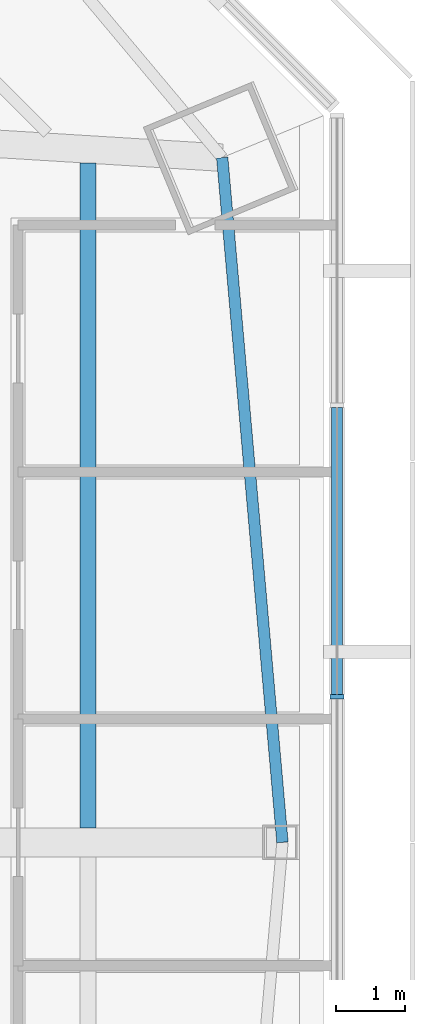
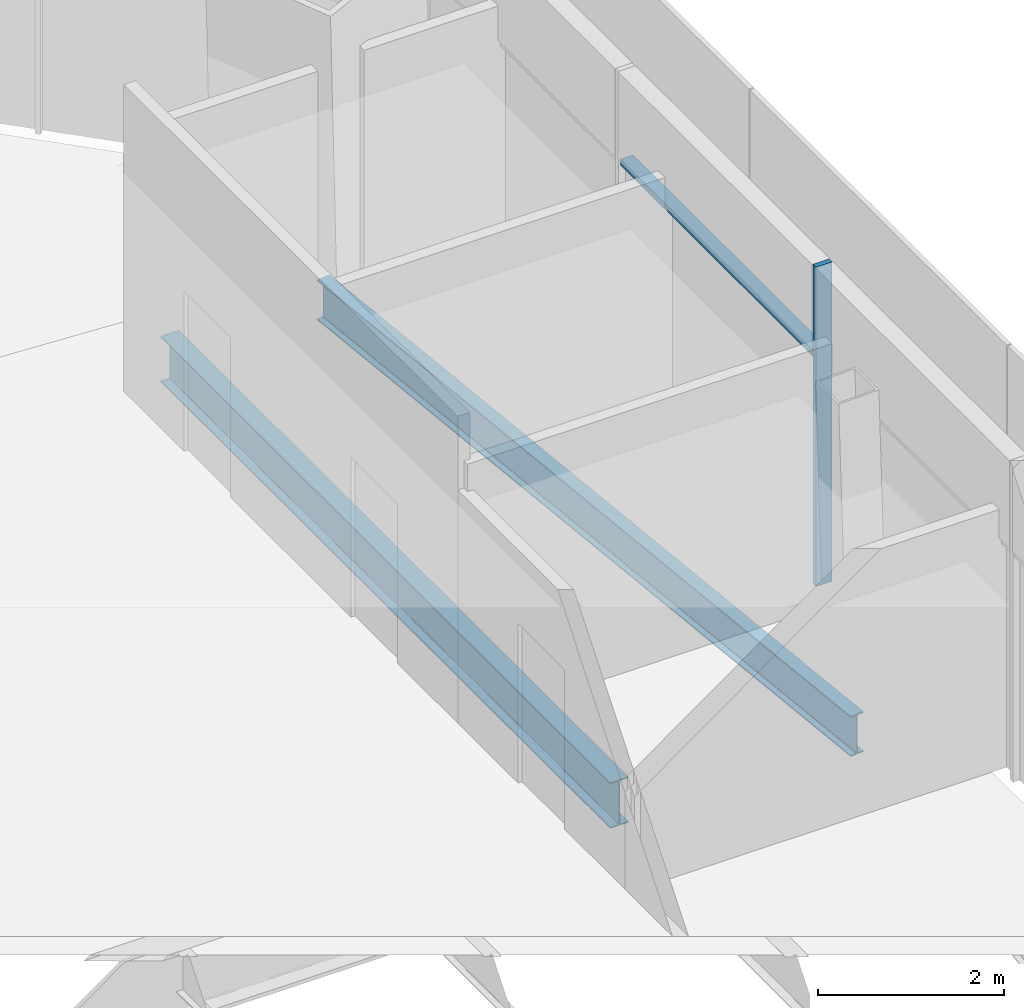
# One storey, part 5 of 16: 2 beams, 2 members, 1 element without a shape of its own.
"""IFC4 building model written with IfcOpenShell, lengths in metres."""

from ifc_helpers import new_model, si_unit, direction, frame, origin, origin_2d, place, context, subcontext, project, spatial, rectangle, i_section, extrude, source, transform, mapped, material, material_profile, profile_set, type_object, type_shapes, element, aggregate, save


model = new_model("IFC4")

# Units and contexts
model_context = context("Model", 3, precision=1e-05, world=origin(), true_north=direction((0.0, 1.0)))
body_context = subcontext(model_context, "Body", "Model", "MODEL_VIEW")
ifc_project = project(units=[si_unit("LENGTHUNIT", "METRE"), si_unit("AREAUNIT", "SQUARE_METRE"), si_unit("VOLUMEUNIT", "CUBIC_METRE"), si_unit("PLANEANGLEUNIT", "RADIAN"), si_unit("MASSUNIT", "GRAM", prefix="KILO")], contexts=[model_context])

# Site, building, storey
site_placement = place(None, origin())
site = spatial("IfcSite", under=ifc_project, at=site_placement, CompositionType="ELEMENT")
building_placement = place(site_placement, origin())
building = spatial("IfcBuilding", under=site, at=building_placement, Name="Mashrafa Tower", CompositionType="ELEMENT")
storey_placement = place(building_placement, frame((0.0, 0.0, 79.199951171875)))
storey = spatial("IfcBuildingStorey", under=building, at=storey_placement, Name="L17", CompositionType="ELEMENT", Elevation=79.199951171875)

# Beams
ifc_material_1 = material(Name="Steel ASTM A992", Category="steel")
ifc_material_profile_1 = material_profile(ifc_material_1, i_section(OverallWidth=0.165771484375, OverallDepth=0.5283203125, WebThickness=0.009765625, FlangeThickness=0.013671875, FilletRadius=0.012939453125, at=origin_2d()), Name="W21X50")
ifc_profile_set_1 = profile_set([ifc_material_profile_1], Name="Steel ASTM A992")
beam_type_1 = type_object("IfcBeamType", Name="Beam W21X50", PredefinedType="BEAM", material=ifc_profile_set_1)
beam_1_placement = place(storey_placement, frame((24.97900390625, 0.0, -0.42919921875), z_axis=(-0.087653494461, 0.996151025151, 0.0), x_axis=(-0.996151025151, -0.087653494461, 0.0)))
element("IfcBeam", 1, at=beam_1_placement, inside=storey, type_object=beam_type_1, Name="Spandrel beam L17 088", PredefinedType="BEAM", context=body_context, shape_type="SweptSolid", body=[
    extrude(i_section(OverallWidth=0.165771484375, OverallDepth=0.5283203125, WebThickness=0.009765625, FlangeThickness=0.013671875, FilletRadius=0.012939453125, at=origin_2d()), origin(), (0.0, 0.0, 1.0), 10.021484375),
])
ifc_material_2 = material(Name="Steel ASTM A992", Category="steel")
ifc_material_profile_2 = material_profile(ifc_material_2, i_section(OverallWidth=0.227783203125, OverallDepth=0.60205078125, WebThickness=0.010498046875, FlangeThickness=0.014892578125, FilletRadius=0.012939453125, at=origin_2d()), Name="W24X68")
ifc_profile_set_2 = profile_set([ifc_material_profile_2], Name="Steel ASTM A992")
beam_type_2 = type_object("IfcBeamType", Name="Beam W24X68", PredefinedType="BEAM", material=ifc_profile_set_2)
beam_2_placement = place(storey_placement, frame((22.14306640625, 9.902099609375, -0.4658203125), z_axis=(0.0, -1.0, 0.0), x_axis=(1.0, 0.0, 0.0)))
element("IfcBeam", 2, at=beam_2_placement, inside=storey, type_object=beam_type_2, Name="Floor beam L17 056", PredefinedType="BEAM", context=body_context, shape_type="SweptSolid", body=[
    extrude(i_section(OverallWidth=0.227783203125, OverallDepth=0.60205078125, WebThickness=0.010498046875, FlangeThickness=0.014892578125, FilletRadius=0.012939453125, at=origin_2d()), origin(), (0.0, 0.0, 1.0), 9.68994140625),
])

# Curtain wall, members
ifc_material_3 = material(Name="Unitised aluminium curtain wall", Category="aluminium")
curtain_wall_type = type_object("IfcCurtainWallType", Name="Office curtain wall, zone 1 CW-A 200 deep", PredefinedType="NOTDEFINED", material=ifc_material_3)
curtain_wall_placement = place(storey_placement, origin())
curtain_wall = element("IfcCurtainWall", 3, at=curtain_wall_placement, inside=storey, type_object=curtain_wall_type, Name="Office curtain wall, zone 1 L17 east", PredefinedType="NOTDEFINED")
ifc_material_4 = material(Name="Extruded aluminium mullion", Category="aluminium")
ifc_material_profile_3 = material_profile(ifc_material_4, rectangle(XDim=0.199951171875, YDim=0.06494140625, at=origin_2d()), Name="Mullion 65x200")
ifc_profile_set_3 = profile_set([ifc_material_profile_3], Name="Extruded aluminium mullion")
member_type_1 = type_object("IfcMemberType", Name="Mullion CW-A 65 x 200", PredefinedType="MULLION", material=ifc_profile_set_3)
shared_shape_1 = source(origin(), body_context, "Body", "SweptSolid", [
    extrude(rectangle(XDim=0.199951171875, YDim=0.06494140625, at=origin_2d()), origin(), (0.0, 0.0, 1.0), 4.199951171875),
])
type_shapes(member_type_1, [shared_shape_1])
member_1_placement = place(storey_placement, frame((25.774169921875, 2.125, 0.0), z_axis=(0.0, 0.0, 1.0), x_axis=(-1.0, 0.0, 0.0)))
member_1 = element("IfcMember", 4, at=member_1_placement, type_object=member_type_1, Name="CW-A mullion 4", PredefinedType="MULLION", context=body_context, shape_type="MappedRepresentation", body=[
    mapped(shared_shape_1, transform((0.0, 0.0, 0.0))),
])
ifc_material_5 = material(Name="Extruded aluminium transom", Category="aluminium")
ifc_material_profile_4 = material_profile(ifc_material_5, rectangle(XDim=0.159912109375, YDim=0.080078125, at=origin_2d()), Name="Transom 80x160")
ifc_profile_set_4 = profile_set([ifc_material_profile_4], Name="Extruded aluminium transom")
member_type_2 = type_object("IfcMemberType", Name="Transom CW-A 80 x 160", PredefinedType="MULLION", material=ifc_profile_set_4)
shared_shape_2 = source(origin(), body_context, "Body", "SweptSolid", [
    extrude(rectangle(XDim=0.159912109375, YDim=0.080078125, at=origin_2d()), origin(), (0.0, 0.0, 1.0), 4.184814453125),
])
type_shapes(member_type_2, [shared_shape_2])
member_2_placement = place(storey_placement, frame((25.774169921875, 2.157470703125, 3.0), z_axis=(0.0, 1.0, 0.0), x_axis=(-1.0, 0.0, 0.0)))
member_2 = element("IfcMember", 5, at=member_2_placement, type_object=member_type_2, Name="CW-A transom 4", PredefinedType="MULLION", context=body_context, shape_type="MappedRepresentation", body=[
    mapped(shared_shape_2, transform((0.0, 0.0, 0.0))),
])
aggregate(curtain_wall, [member_1, member_2])

save(model, "model.ifc")
